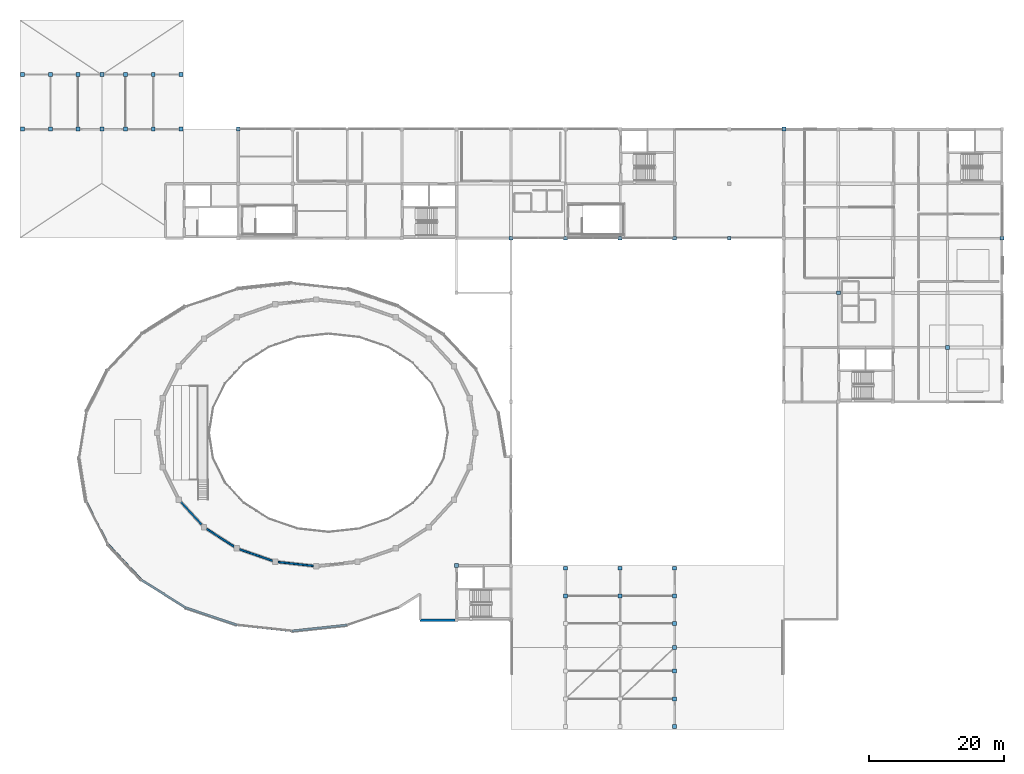
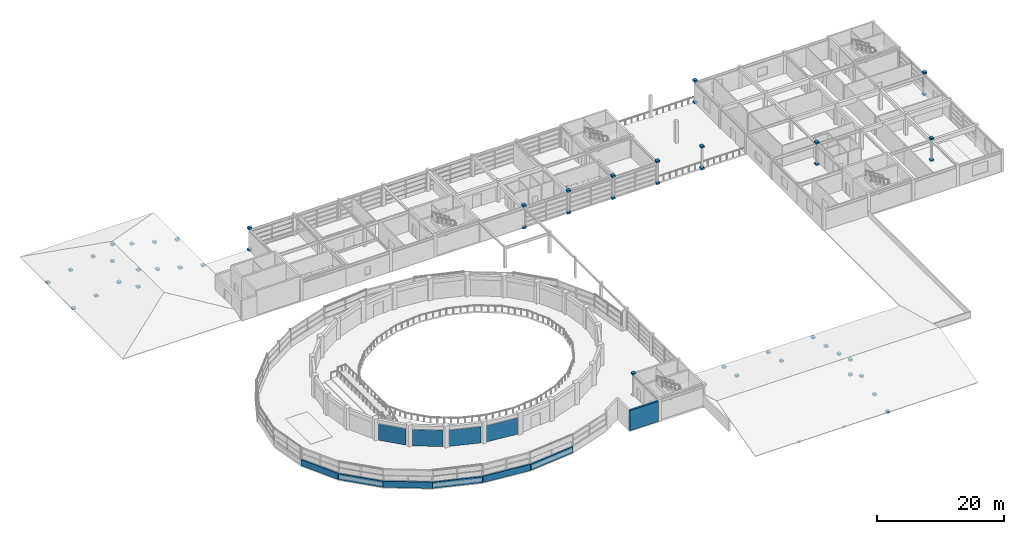
# One storey, part 39 of 54: 49 plates, 11 walls.
"""IFC4 building model written with IfcOpenShell, lengths in metres."""

from ifc_helpers import new_model, si_unit, direction, frame, frame_2d, origin, origin_2d, place, context, subcontext, project, spatial, rectangle, extrude, material, layer, layer_set, type_object, element, save


model = new_model("IFC4")

# Units and contexts
model_context = context("Model", 3, precision=1e-05, world=origin(), true_north=direction((0.0, 1.0)))
body_context = subcontext(model_context, "Body", "Model", "MODEL_VIEW")
ifc_project = project(units=[si_unit("LENGTHUNIT", "METRE"), si_unit("AREAUNIT", "SQUARE_METRE"), si_unit("VOLUMEUNIT", "CUBIC_METRE"), si_unit("PLANEANGLEUNIT", "RADIAN"), si_unit("MASSUNIT", "GRAM", prefix="KILO")], contexts=[model_context])

# Site, building, storey
site_placement = place(None, origin())
site = spatial("IfcSite", under=ifc_project, at=site_placement, CompositionType="ELEMENT")
building_placement = place(site_placement, origin())
building = spatial("IfcBuilding", under=site, at=building_placement, Name="Parian Resonance Hall", CompositionType="ELEMENT")
storey_placement = place(building_placement, frame((0.0, 0.0, 15.0)))
storey = spatial("IfcBuildingStorey", under=building, at=storey_placement, Name="L03", CompositionType="ELEMENT", Elevation=15.0)

# Plates
ifc_material_1 = material(Name="Steel S355", Category="steel")
ifc_layer_1 = layer(ifc_material_1, 0.340087890625)
ifc_layer_set_1 = layer_set([ifc_layer_1], Name="Steel S355")
plate_type_1 = type_object("IfcPlateType", Name="PLT-CAP-500", PredefinedType="SHEET", material=ifc_layer_set_1)
for number, where, z_axis, x_axis, name in (
    (1, (0.39990234375, 89.10009765625, -0.169921875), (0.0, 0.0, 1.0), (1.0, 0.0, 0.0), "Steel hollow-section node closure block 0001"),
    (2, (4.512939453125, 89.10009765625, 0.80712890625), (0.0, 0.0, 1.0), (1.0, 0.0, 0.0), "Steel hollow-section node closure block 0003"),
    (3, (4.512939453125, 97.199951171875, 0.80712890625), (0.0, 0.0, 1.0), (1.0, 0.0, 0.0), "Steel hollow-section node closure block 0004"),
    (4, (8.625, 97.199951171875, 1.94482421875), (0.0, 0.0, 1.0), (1.0, 0.0, 0.0), "Steel hollow-section node closure block 0006"),
    (5, (12.14990234375, 89.10009765625, 3.080078125), (0.0, 0.0, 1.0), (1.0, 0.0, 0.0), "Steel hollow-section node closure block 0015"),
    (6, (12.14990234375, 97.199951171875, -0.169921875), (0.0, 0.0, 1.0), (1.0, 0.0, 0.0), "Steel hollow-section node closure block 0016"),
    (7, (15.675048828125, 97.199951171875, 1.94482421875), (0.0, 0.0, 1.0), (1.0, 0.0, 0.0), "Steel hollow-section node closure block 0033"),
    (8, (19.7880859375, 97.199951171875, 0.80712890625), (0.0, 0.0, 1.0), (1.0, 0.0, 0.0), "Steel hollow-section node closure block 0069"),
    (9, (23.89990234375, 89.10009765625, -0.169921875), (0.0, 0.0, 1.0), (1.0, 0.0, 0.0), "Steel hollow-section node closure block 0094"),
    (10, (32.39990234375, 89.10009765625, -0.169921875), (0.0, 0.0, 1.0), (1.0, 0.0, 0.0), "Steel hollow-section node closure block 0132"),
    (11, (32.39990234375, 89.10009765625, 4.02978515625), (0.0, 0.0, 1.0), (1.0, 0.0, 0.0), "Steel hollow-section node closure block 0133"),
    (12, (72.89990234375, 72.89990234375, -0.169921875), (0.0, 0.0, 1.0), (1.0, 0.0, 0.0), "Steel hollow-section node closure block 0283"),
    (13, (81.0, 23.89990234375, -0.169921875), (0.0, 0.0, 1.0), (1.0, 0.0, 0.0), "Steel hollow-section node closure block 0294"),
    (14, (81.0, 72.89990234375, -0.169921875), (0.0, 0.0, 1.0), (1.0, 0.0, 0.0), "Steel hollow-section node closure block 0295"),
    (15, (89.10009765625, 23.89990234375, -0.169921875), (0.0, 0.0, 1.0), (1.0, 0.0, 0.0), "Steel hollow-section node closure block 0306"),
    (16, (89.10009765625, 72.89990234375, -0.169921875), (0.0, 0.0, 1.0), (1.0, 0.0, 0.0), "Steel hollow-section node closure block 0307"),
    (17, (97.199951171875, 4.512939453125, 0.65771484375), (0.0, 0.0, 1.0), (1.0, 0.0, 0.0), "Steel hollow-section node closure block 0312"),
    (18, (97.199951171875, 8.625, 1.65478515625), (0.0, 0.0, 1.0), (1.0, 0.0, 0.0), "Steel hollow-section node closure block 0313"),
    (19, (97.199951171875, 12.14990234375, 2.68017578125), (0.0, 0.0, 1.0), (1.0, 0.0, 0.0), "Steel hollow-section node closure block 0315"),
    (20, (97.199951171875, 15.675048828125, 1.65478515625), (0.0, 0.0, 1.0), (1.0, 0.0, 0.0), "Steel hollow-section node closure block 0316"),
    (21, (97.199951171875, 23.89990234375, -0.169921875), (0.0, 0.0, 1.0), (1.0, 0.0, 0.0), "Steel hollow-section node closure block 0318"),
    (22, (97.199951171875, 72.89990234375, -0.169921875), (0.0, 0.0, 1.0), (1.0, 0.0, 0.0), "Steel hollow-section node closure block 0319"),
    (23, (105.300048828125, 72.89990234375, 4.02978515625), (0.0, 0.0, 1.0), (1.0, 0.0, 0.0), "Steel hollow-section node closure block 0324"),
    (24, (113.39990234375, 89.10009765625, -0.169921875), (0.0, 0.0, 1.0), (1.0, 0.0, 0.0), "Steel hollow-section node closure block 0327"),
    (25, (113.39990234375, 89.10009765625, 4.02978515625), (0.0, 0.0, 1.0), (1.0, 0.0, 0.0), "Steel hollow-section node closure block 0328"),
    (26, (121.5, 64.800048828125, -0.169921875), (0.0, 0.0, 1.0), (1.0, 0.0, 0.0), "Steel hollow-section node closure block 0331"),
    (27, (137.699951171875, 56.699951171875, 4.02978515625), (0.0, 0.0, 1.0), (1.0, 0.0, 0.0), "Steel hollow-section node closure block 0336"),
    (28, (145.800048828125, 72.89990234375, -0.169921875), (0.0, 0.0, 1.0), (1.0, 0.0, 0.0), "Steel hollow-section node closure block 0339"),
    (29, (145.800048828125, 72.89990234375, 4.02978515625), (0.0, 0.0, 1.0), (1.0, 0.0, 0.0), "Steel hollow-section node closure block 0340"),
):
    element("IfcPlate", number, at=place(storey_placement, frame(where, z_axis=z_axis, x_axis=x_axis)), inside=storey, type_object=plate_type_1, Name=name, PredefinedType="SHEET", context=body_context, shape_type="SweptSolid", body=[
        extrude(rectangle(XDim=0.580078125, YDim=0.580078125, at=origin_2d()), origin(), (0.0, 0.0, 1.0), 0.340087890625),
    ])
ifc_material_2 = material(Name="Steel S355", Category="steel")
ifc_layer_2 = layer(ifc_material_2, 0.360107421875)
ifc_layer_set_2 = layer_set([ifc_layer_2], Name="Steel S355")
plate_type_2 = type_object("IfcPlateType", Name="PLT-GUS-520", PredefinedType="USERDEFINED", material=ifc_layer_set_2)
for number, where, z_axis, x_axis, name in (
    (30, (0.39990234375, 97.199951171875, -0.18017578125), (0.0, 0.0, 1.0), (1.0, 0.0, 0.0), "Steel hollow-section node closure block 0002"),
    (31, (8.625, 89.10009765625, 1.93505859375), (0.0, 0.0, 1.0), (1.0, 0.0, 0.0), "Steel hollow-section node closure block 0005"),
    (32, (12.14990234375, 89.10009765625, -0.18017578125), (0.0, 0.0, 1.0), (1.0, 0.0, 0.0), "Steel hollow-section node closure block 0014"),
    (33, (12.14990234375, 97.199951171875, 3.06982421875), (0.0, 0.0, 1.0), (1.0, 0.0, 0.0), "Steel hollow-section node closure block 0017"),
    (34, (15.675048828125, 89.10009765625, 1.93505859375), (0.0, 0.0, 1.0), (1.0, 0.0, 0.0), "Steel hollow-section node closure block 0032"),
    (35, (19.7880859375, 89.10009765625, 0.796875), (0.0, 0.0, 1.0), (1.0, 0.0, 0.0), "Steel hollow-section node closure block 0068"),
    (36, (23.89990234375, 97.199951171875, -0.18017578125), (0.0, 0.0, 1.0), (1.0, 0.0, 0.0), "Steel hollow-section node closure block 0095"),
    (37, (64.800048828125, 24.300048828125, 4.02001953125), (0.0, 0.0, 1.0), (1.0, 0.0, 0.0), "Steel hollow-section node closure block 0272"),
    (38, (72.89990234375, 72.89990234375, 4.02001953125), (0.0, 0.0, 1.0), (1.0, 0.0, 0.0), "Steel hollow-section node closure block 0284"),
    (39, (81.0, 19.7880859375, 0.64794921875), (0.0, 0.0, 1.0), (1.0, 0.0, 0.0), "Steel hollow-section node closure block 0293"),
    (40, (81.0, 72.89990234375, 4.02001953125), (0.0, 0.0, 1.0), (1.0, 0.0, 0.0), "Steel hollow-section node closure block 0296"),
    (41, (89.10009765625, 19.7880859375, 0.64794921875), (0.0, 0.0, 1.0), (1.0, 0.0, 0.0), "Steel hollow-section node closure block 0305"),
    (42, (89.10009765625, 72.89990234375, 4.02001953125), (0.0, 0.0, 1.0), (1.0, 0.0, 0.0), "Steel hollow-section node closure block 0308"),
    (43, (97.199951171875, 0.39990234375, -0.18017578125), (0.0, 0.0, 1.0), (1.0, 0.0, 0.0), "Steel hollow-section node closure block 0311"),
    (44, (97.199951171875, 12.14990234375, -0.18017578125), (0.0, 0.0, 1.0), (1.0, 0.0, 0.0), "Steel hollow-section node closure block 0314"),
    (45, (97.199951171875, 19.7880859375, 0.64794921875), (0.0, 0.0, 1.0), (1.0, 0.0, 0.0), "Steel hollow-section node closure block 0317"),
    (46, (97.199951171875, 72.89990234375, 4.02001953125), (0.0, 0.0, 1.0), (1.0, 0.0, 0.0), "Steel hollow-section node closure block 0320"),
    (47, (105.300048828125, 72.89990234375, -0.18017578125), (0.0, 0.0, 1.0), (1.0, 0.0, 0.0), "Steel hollow-section node closure block 0323"),
    (48, (121.5, 64.800048828125, 4.02001953125), (0.0, 0.0, 1.0), (1.0, 0.0, 0.0), "Steel hollow-section node closure block 0332"),
    (49, (137.699951171875, 56.699951171875, -0.18017578125), (0.0, 0.0, 1.0), (1.0, 0.0, 0.0), "Steel hollow-section node closure block 0335"),
):
    element("IfcPlate", number, at=place(storey_placement, frame(where, z_axis=z_axis, x_axis=x_axis)), inside=storey, type_object=plate_type_2, Name=name, ObjectType="GUSSET PLATE", PredefinedType="USERDEFINED", context=body_context, shape_type="SweptSolid", body=[
        extrude(rectangle(XDim=0.580078125, YDim=0.580078125, at=origin_2d()), origin(), (0.0, 0.0, 1.0), 0.360107421875),
    ])

# Walls
ifc_material_3 = material(Name="Concrete C35/45 with white lime plaster and polychrome mosaic", Category="concrete")
ifc_layer_3 = layer(ifc_material_3, 0.320068359375)
ifc_layer_set_3 = layer_set([ifc_layer_3], Name="Concrete C35/45 with white lime plaster and polychrome mosaic")
wall_type_1 = type_object("IfcWallType", Name="EW-RING-320", PredefinedType="SOLIDWALL", material=ifc_layer_set_3)
wall_1_placement = place(storey_placement, frame((13.03369140625, 27.5, 0.0), z_axis=(0.0, 0.0, 1.0), x_axis=(-0.452454380739, 0.891787549448, 0.0)))
element("IfcWall", 50, at=wall_1_placement, inside=storey, type_object=wall_type_1, Name="Elliptical R3 mosaic spandrel wall 14", PredefinedType="SOLIDWALL", context=body_context, shape_type="SweptSolid", body=[
    extrude(rectangle(XDim=6.9775390625, YDim=0.320068359375, at=frame_2d((3.48876953125, 0.0))), origin(), (0.0, 0.0, 1.0), 1.199951171875),
])
wall_2_placement = place(storey_placement, frame((18.055419921875, 22.156494140625, 0.0), z_axis=(0.0, 0.0, 1.0), x_axis=(-0.684825514035, 0.728707084724, 0.0)))
element("IfcWall", 51, at=wall_2_placement, inside=storey, type_object=wall_type_1, Name="Elliptical R3 mosaic spandrel wall 15", PredefinedType="SOLIDWALL", context=body_context, shape_type="SweptSolid", body=[
    extrude(rectangle(XDim=7.332763671875, YDim=0.320068359375, at=frame_2d((3.66650390625, 0.0))), origin(), (0.0, 0.0, 1.0), 1.199951171875),
])
wall_3_placement = place(storey_placement, frame((24.60009765625, 18.056396484375, 0.0), z_axis=(0.0, 0.0, 1.0), x_axis=(-0.847434839889, 0.530899418103, 0.0)))
element("IfcWall", 52, at=wall_3_placement, inside=storey, type_object=wall_type_1, Name="Elliptical R3 mosaic spandrel wall 16", PredefinedType="SOLIDWALL", context=body_context, shape_type="SweptSolid", body=[
    extrude(rectangle(XDim=7.722900390625, YDim=0.320068359375, at=frame_2d((3.861328125, 0.0))), origin(), (0.0, 0.0, 1.0), 1.199951171875),
])
wall_4_placement = place(storey_placement, frame((32.22119140625, 15.47900390625, 0.0), z_axis=(0.0, 0.0, 1.0), x_axis=(-0.947293493077, 0.320367036341, 0.0)))
element("IfcWall", 53, at=wall_4_placement, inside=storey, type_object=wall_type_1, Name="Elliptical R3 mosaic spandrel wall 17", PredefinedType="SOLIDWALL", context=body_context, shape_type="SweptSolid", body=[
    extrude(rectangle(XDim=8.045166015625, YDim=0.320068359375, at=frame_2d((4.0224609375, 0.0))), origin(), (0.0, 0.0, 1.0), 1.199951171875),
])
for number, where, z_axis, x_axis, name in (
    (54, (40.39990234375, 14.60009765625, 0.0), (0.0, 0.0, 1.0), (-0.99427541963, 0.106847507781, 0.0), "Elliptical R3 mosaic spandrel wall 18"),
    (55, (48.57861328125, 15.47900390625, 0.0), (0.0, 0.0, 1.0), (-0.99427541963, -0.106847507781, 0.0), "Elliptical R3 mosaic spandrel wall 19"),
):
    element("IfcWall", number, at=place(storey_placement, frame(where, z_axis=z_axis, x_axis=x_axis)), inside=storey, type_object=wall_type_1, Name=name, PredefinedType="SOLIDWALL", context=body_context, shape_type="SweptSolid", body=[
        extrude(rectangle(XDim=8.225830078125, YDim=0.320068359375, at=frame_2d((4.11279296875, 0.0))), origin(), (0.0, 0.0, 1.0), 1.199951171875),
    ])
ifc_material_4 = material(Name="Concrete C35/45 with Carcar coral-limestone ashlar", Category="masonry")
ifc_layer_4 = layer(ifc_material_4, 0.340087890625)
ifc_layer_set_4 = layer_set([ifc_layer_4], Name="Concrete C35/45 with Carcar coral-limestone ashlar")
wall_type_2 = type_object("IfcWallType", Name="EW-STONE-340", PredefinedType="SOLIDWALL", material=ifc_layer_set_4)
wall_5_placement = place(storey_placement, frame((59.39990234375, 16.199951171875, 0.0), z_axis=(0.0, 0.0, 1.0), x_axis=(1.0, 0.0, 0.0)))
element("IfcWall", 56, at=wall_5_placement, inside=storey, type_object=wall_type_2, Name="Perimeter closure wall L03", PredefinedType="SOLIDWALL", context=body_context, shape_type="SweptSolid", body=[
    extrude(rectangle(XDim=5.150146484375, YDim=0.340087890625, at=frame_2d((2.5751953125, 0.0))), origin(), (0.0, 0.0, 1.0), 3.89990234375),
])
ifc_material_5 = material(Name="Concrete C35/45 fire barrier", Category="concrete")
ifc_layer_5 = layer(ifc_material_5, 0.25)
ifc_layer_set_5 = layer_set([ifc_layer_5], Name="Concrete C35/45 fire barrier")
wall_type_3 = type_object("IfcWallType", Name="HW250", PredefinedType="SOLIDWALL", material=ifc_layer_set_5)
wall_6_placement = place(storey_placement, frame((26.946533203125, 30.3994140625, 0.0), z_axis=(0.0, 0.0, 1.0), x_axis=(-0.674940761195, 0.73787191902, 0.0)))
element("IfcWall", 57, at=wall_6_placement, inside=storey, type_object=wall_type_3, Name="Main Concert Hall acoustic drum wall L03-15", PredefinedType="SOLIDWALL", context=body_context, shape_type="SweptSolid", body=[
    extrude(rectangle(XDim=4.47314453125, YDim=0.25, at=frame_2d((2.236572265625, 0.0))), origin(), (0.0, 0.0, 1.0), 3.1240234375),
])
wall_7_placement = place(storey_placement, frame((31.800048828125, 27.110107421875, 0.0), z_axis=(0.0, 0.0, 1.0), x_axis=(-0.840820955445, 0.541313329675, 0.0)))
element("IfcWall", 58, at=wall_7_placement, inside=storey, type_object=wall_type_3, Name="Main Concert Hall acoustic drum wall L03-16", PredefinedType="SOLIDWALL", context=body_context, shape_type="SweptSolid", body=[
    extrude(rectangle(XDim=4.861572265625, YDim=0.25, at=frame_2d((2.4306640625, 0.0))), origin(), (0.0, 0.0, 1.0), 3.1240234375),
])
wall_8_placement = place(storey_placement, frame((37.491943359375, 25.013671875, 0.0), z_axis=(0.0, 0.0, 1.0), x_axis=(-0.94459024808, 0.328251828985, 0.0)))
element("IfcWall", 59, at=wall_8_placement, inside=storey, type_object=wall_type_3, Name="Main Concert Hall acoustic drum wall L03-17", PredefinedType="SOLIDWALL", context=body_context, shape_type="SweptSolid", body=[
    extrude(rectangle(XDim=5.1787109375, YDim=0.25, at=frame_2d((2.58935546875, 0.0))), origin(), (0.0, 0.0, 1.0), 3.1240234375),
])
wall_9_placement = place(storey_placement, frame((43.60009765625, 24.244140625, 0.0), z_axis=(0.0, 0.0, 1.0), x_axis=(-0.99395267112, 0.109809323707, 0.0)))
element("IfcWall", 60, at=wall_9_placement, inside=storey, type_object=wall_type_3, Name="Main Concert Hall acoustic drum wall L03-18", PredefinedType="SOLIDWALL", context=body_context, shape_type="SweptSolid", body=[
    extrude(rectangle(XDim=5.34033203125, YDim=0.25, at=frame_2d((2.670166015625, 0.0))), origin(), (0.0, 0.0, 1.0), 3.1240234375),
])

save(model, "model.ifc")
